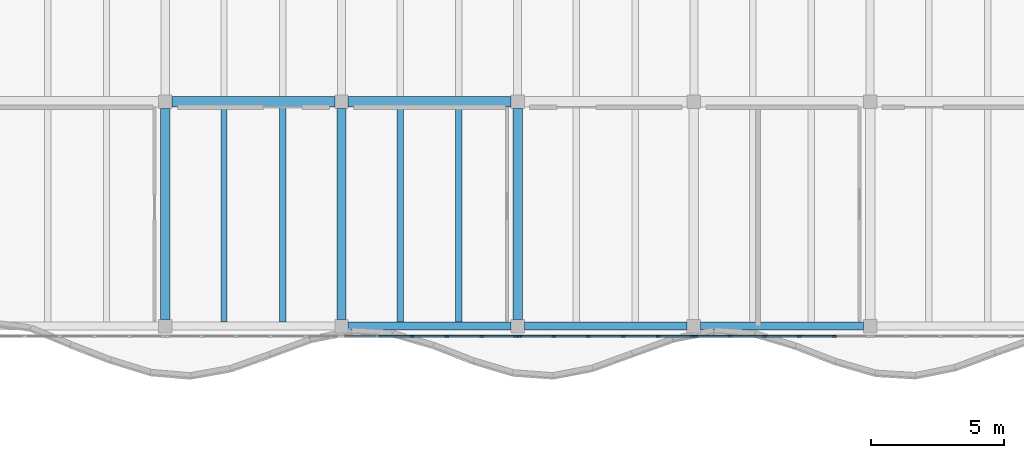
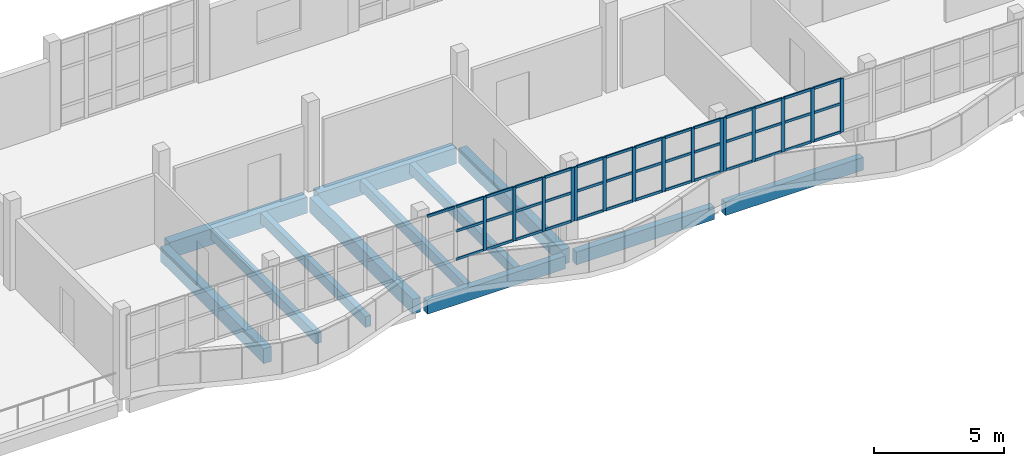
# One storey, part 9 of 47: 55 members, 12 beams, 3 elements without a shape of their own.
"""IFC4 building model written with IfcOpenShell, lengths in metres."""

from ifc_helpers import new_model, si_unit, direction, frame, origin, origin_2d, place, context, subcontext, project, spatial, rectangle, extrude, material, material_profile, profile_set, type_object, element, aggregate, save


model = new_model("IFC4")

# Units and contexts
model_context = context("Model", 3, precision=1e-05, world=origin(), true_north=direction((0.0, 1.0)))
body_context = subcontext(model_context, "Body", "Model", "MODEL_VIEW")
ifc_project = project(units=[si_unit("LENGTHUNIT", "METRE"), si_unit("AREAUNIT", "SQUARE_METRE"), si_unit("VOLUMEUNIT", "CUBIC_METRE"), si_unit("PLANEANGLEUNIT", "RADIAN"), si_unit("MASSUNIT", "GRAM", prefix="KILO")], contexts=[model_context])

# Site, building, storey
site_placement = place(None, origin())
site = spatial("IfcSite", under=ifc_project, at=site_placement, CompositionType="ELEMENT")
building_placement = place(site_placement, origin())
building = spatial("IfcBuilding", under=site, at=building_placement, Name="Qaldarim Faculty of Natural and Applied Sciences", CompositionType="ELEMENT")
storey_placement = place(building_placement, frame((0.0, 0.0, 22.800048828125)))
storey = spatial("IfcBuildingStorey", under=building, at=storey_placement, Name="L05", CompositionType="ELEMENT", Elevation=22.800048828125)

# Beams
ifc_material_1 = material(Name="Concrete C40/50", Category="concrete")
ifc_material_profile_1 = material_profile(ifc_material_1, rectangle(XDim=0.239990234375, YDim=0.5, at=origin_2d()), Name="RC-J240x500")
ifc_profile_set_1 = profile_set([ifc_material_profile_1], Name="Concrete C40/50")
beam_type_1 = type_object("IfcBeamType", Name="HeavyJoist-RC240x500", PredefinedType="JOIST", material=ifc_profile_set_1)
for number, where, z_axis, x_axis, name in (
    (1, (68.199951171875, 100.949951171875, -0.510009765625), (0.0, 1.0, 0.0), (-1.0, 0.0, 0.0), "Laboratory joist L04 bay X11Y13-1"),
    (2, (70.39990234375, 100.949951171875, -0.510009765625), (0.0, 1.0, 0.0), (-1.0, 0.0, 0.0), "Laboratory joist L04 bay X11Y13-2"),
    (3, (74.800048828125, 100.949951171875, -0.510009765625), (0.0, 1.0, 0.0), (-1.0, 0.0, 0.0), "Laboratory joist L04 bay X12Y13-1"),
    (4, (77.0, 100.949951171875, -0.510009765625), (0.0, 1.0, 0.0), (-1.0, 0.0, 0.0), "Laboratory joist L04 bay X12Y13-2"),
):
    element("IfcBeam", number, at=place(storey_placement, frame(where, z_axis=z_axis, x_axis=x_axis)), inside=storey, type_object=beam_type_1, Name=name, PredefinedType="JOIST", context=body_context, shape_type="SweptSolid", body=[
        extrude(rectangle(XDim=0.239990234375, YDim=0.5, at=origin_2d()), origin(), (0.0, 0.0, 1.0), 8.050048828125),
    ])
ifc_material_2 = material(Name="Concrete C50/60", Category="concrete")
ifc_material_profile_2 = material_profile(ifc_material_2, rectangle(XDim=0.39990234375, YDim=0.75, at=origin_2d()), Name="RC-B400x750")
ifc_profile_set_2 = profile_set([ifc_material_profile_2], Name="Concrete C50/60")
beam_type_2 = type_object("IfcBeamType", Name="LabGirder-RC400x750", PredefinedType="BEAM", material=ifc_profile_set_2)
beam_1_placement = place(storey_placement, frame((66.25, 109.199951171875, -0.635009765625), z_axis=(1.0, 0.0, 0.0), x_axis=(0.0, 1.0, 0.0)))
element("IfcBeam", 5, at=beam_1_placement, inside=storey, type_object=beam_type_2, Name="Beam RC-B400x750 L04 X11-X12/Y14", PredefinedType="BEAM", context=body_context, shape_type="SweptSolid", body=[
    extrude(rectangle(XDim=0.39990234375, YDim=0.75, at=origin_2d()), origin(), (0.0, 0.0, 1.0), 6.10009765625),
])
beam_2_placement = place(storey_placement, frame((72.85009765625, 109.199951171875, -0.635009765625), z_axis=(1.0, 0.0, 0.0), x_axis=(0.0, 1.0, 0.0)))
element("IfcBeam", 6, at=beam_2_placement, inside=storey, type_object=beam_type_2, Name="Beam RC-B400x750 L04 X12-X13/Y14", PredefinedType="BEAM", context=body_context, shape_type="SweptSolid", body=[
    extrude(rectangle(XDim=0.39990234375, YDim=0.75, at=origin_2d()), origin(), (0.0, 0.0, 1.0), 6.099853515625),
])

# Curtain wall, members
ifc_material_3 = material(Name="Anodised aluminium AW-6063", Category="aluminium")
curtain_wall_type = type_object("IfcCurtainWallType", Name="CurtainWallSystem-M1400", PredefinedType="USERDEFINED", material=ifc_material_3)
curtain_wall_1_placement = place(storey_placement, origin())
curtain_wall_1 = element("IfcCurtainWall", 7, at=curtain_wall_1_placement, inside=storey, type_object=curtain_wall_type, Name="Curtain wall CW-V4RIB-L05-X12", ObjectType="STICK CURTAIN WALL", PredefinedType="USERDEFINED")
ifc_material_profile_3 = material_profile(ifc_material_3, rectangle(XDim=0.06005859375, YDim=0.14990234375, at=origin_2d()), Name="ALU-M60x150")
ifc_profile_set_3 = profile_set([ifc_material_profile_3], Name="Anodised aluminium AW-6063")
member_type_1 = type_object("IfcMemberType", Name="Mullion-ALU60x150", PredefinedType="MULLION", material=ifc_profile_set_3)
member_1_placement = place(storey_placement, frame((75.248046875, 100.419921875, 1.449951171875), z_axis=(0.0, 0.0, 1.0), x_axis=(0.0, 1.0, 0.0)))
member_1 = element("IfcMember", 8, at=member_1_placement, type_object=member_type_1, Name="Mullion 3 of CW-V4RIB-L05-X12", PredefinedType="MULLION", context=body_context, shape_type="SweptSolid", body=[
    extrude(rectangle(XDim=0.06005859375, YDim=0.14990234375, at=origin_2d()), origin(), (0.0, 0.0, 1.0), 2.510009765625),
])
member_2_placement = place(storey_placement, frame((76.552001953125, 100.419921875, 1.449951171875), z_axis=(0.0, 0.0, 1.0), x_axis=(0.0, 1.0, 0.0)))
member_2 = element("IfcMember", 9, at=member_2_placement, type_object=member_type_1, Name="Mullion 4 of CW-V4RIB-L05-X12", PredefinedType="MULLION", context=body_context, shape_type="SweptSolid", body=[
    extrude(rectangle(XDim=0.06005859375, YDim=0.14990234375, at=origin_2d()), origin(), (0.0, 0.0, 1.0), 2.510009765625),
])
member_3_placement = place(storey_placement, frame((77.85595703125, 100.419921875, 1.449951171875), z_axis=(0.0, 0.0, 1.0), x_axis=(0.0, 1.0, 0.0)))
member_3 = element("IfcMember", 10, at=member_3_placement, type_object=member_type_1, Name="Mullion 5 of CW-V4RIB-L05-X12", PredefinedType="MULLION", context=body_context, shape_type="SweptSolid", body=[
    extrude(rectangle(XDim=0.06005859375, YDim=0.14990234375, at=origin_2d()), origin(), (0.0, 0.0, 1.0), 2.510009765625),
])
member_4_placement = place(storey_placement, frame((79.1298828125, 100.419921875, 1.449951171875), z_axis=(0.0, 0.0, 1.0), x_axis=(0.0, 1.0, 0.0)))
member_4 = element("IfcMember", 11, at=member_4_placement, type_object=member_type_1, Name="Mullion 6 of CW-V4RIB-L05-X12", PredefinedType="MULLION", context=body_context, shape_type="SweptSolid", body=[
    extrude(rectangle(XDim=0.06005859375, YDim=0.14990234375, at=origin_2d()), origin(), (0.0, 0.0, 1.0), 2.510009765625),
])

curtain_wall_2_placement = place(storey_placement, origin())
curtain_wall_2 = element("IfcCurtainWall", 12, at=curtain_wall_2_placement, inside=storey, type_object=curtain_wall_type, Name="Curtain wall CW-V4RIB-L05-X13", ObjectType="STICK CURTAIN WALL", PredefinedType="USERDEFINED")
member_5_placement = place(storey_placement, frame((79.27001953125, 100.419921875, 1.449951171875), z_axis=(0.0, 0.0, 1.0), x_axis=(0.0, 1.0, 0.0)))
member_5 = element("IfcMember", 13, at=member_5_placement, type_object=member_type_1, Name="Mullion 1 of CW-V4RIB-L05-X13", PredefinedType="MULLION", context=body_context, shape_type="SweptSolid", body=[
    extrude(rectangle(XDim=0.06005859375, YDim=0.14990234375, at=origin_2d()), origin(), (0.0, 0.0, 1.0), 2.510009765625),
])
member_6_placement = place(storey_placement, frame((80.5439453125, 100.419921875, 1.449951171875), z_axis=(0.0, 0.0, 1.0), x_axis=(0.0, 1.0, 0.0)))
member_6 = element("IfcMember", 14, at=member_6_placement, type_object=member_type_1, Name="Mullion 2 of CW-V4RIB-L05-X13", PredefinedType="MULLION", context=body_context, shape_type="SweptSolid", body=[
    extrude(rectangle(XDim=0.06005859375, YDim=0.14990234375, at=origin_2d()), origin(), (0.0, 0.0, 1.0), 2.510009765625),
])
member_7_placement = place(storey_placement, frame((81.847900390625, 100.419921875, 1.449951171875), z_axis=(0.0, 0.0, 1.0), x_axis=(0.0, 1.0, 0.0)))
member_7 = element("IfcMember", 15, at=member_7_placement, type_object=member_type_1, Name="Mullion 3 of CW-V4RIB-L05-X13", PredefinedType="MULLION", context=body_context, shape_type="SweptSolid", body=[
    extrude(rectangle(XDim=0.06005859375, YDim=0.14990234375, at=origin_2d()), origin(), (0.0, 0.0, 1.0), 2.510009765625),
])
member_8_placement = place(storey_placement, frame((83.152099609375, 100.419921875, 1.449951171875), z_axis=(0.0, 0.0, 1.0), x_axis=(0.0, 1.0, 0.0)))
member_8 = element("IfcMember", 16, at=member_8_placement, type_object=member_type_1, Name="Mullion 4 of CW-V4RIB-L05-X13", PredefinedType="MULLION", context=body_context, shape_type="SweptSolid", body=[
    extrude(rectangle(XDim=0.06005859375, YDim=0.14990234375, at=origin_2d()), origin(), (0.0, 0.0, 1.0), 2.510009765625),
])
member_9_placement = place(storey_placement, frame((84.4560546875, 100.419921875, 1.449951171875), z_axis=(0.0, 0.0, 1.0), x_axis=(0.0, 1.0, 0.0)))
member_9 = element("IfcMember", 17, at=member_9_placement, type_object=member_type_1, Name="Mullion 5 of CW-V4RIB-L05-X13", PredefinedType="MULLION", context=body_context, shape_type="SweptSolid", body=[
    extrude(rectangle(XDim=0.06005859375, YDim=0.14990234375, at=origin_2d()), origin(), (0.0, 0.0, 1.0), 2.510009765625),
])
member_10_placement = place(storey_placement, frame((85.72998046875, 100.419921875, 1.449951171875), z_axis=(0.0, 0.0, 1.0), x_axis=(0.0, 1.0, 0.0)))
member_10 = element("IfcMember", 18, at=member_10_placement, type_object=member_type_1, Name="Mullion 6 of CW-V4RIB-L05-X13", PredefinedType="MULLION", context=body_context, shape_type="SweptSolid", body=[
    extrude(rectangle(XDim=0.06005859375, YDim=0.14990234375, at=origin_2d()), origin(), (0.0, 0.0, 1.0), 2.510009765625),
])

curtain_wall_3_placement = place(storey_placement, origin())
curtain_wall_3 = element("IfcCurtainWall", 19, at=curtain_wall_3_placement, inside=storey, type_object=curtain_wall_type, Name="Curtain wall CW-V4RIB-L05-X14", ObjectType="STICK CURTAIN WALL", PredefinedType="USERDEFINED")
member_11_placement = place(storey_placement, frame((85.8701171875, 100.419921875, 1.449951171875), z_axis=(0.0, 0.0, 1.0), x_axis=(0.0, 1.0, 0.0)))
member_11 = element("IfcMember", 20, at=member_11_placement, type_object=member_type_1, Name="Mullion 1 of CW-V4RIB-L05-X14", PredefinedType="MULLION", context=body_context, shape_type="SweptSolid", body=[
    extrude(rectangle(XDim=0.06005859375, YDim=0.14990234375, at=origin_2d()), origin(), (0.0, 0.0, 1.0), 2.510009765625),
])
member_12_placement = place(storey_placement, frame((87.14404296875, 100.419921875, 1.449951171875), z_axis=(0.0, 0.0, 1.0), x_axis=(0.0, 1.0, 0.0)))
member_12 = element("IfcMember", 21, at=member_12_placement, type_object=member_type_1, Name="Mullion 2 of CW-V4RIB-L05-X14", PredefinedType="MULLION", context=body_context, shape_type="SweptSolid", body=[
    extrude(rectangle(XDim=0.06005859375, YDim=0.14990234375, at=origin_2d()), origin(), (0.0, 0.0, 1.0), 2.510009765625),
])
member_13_placement = place(storey_placement, frame((88.447998046875, 100.419921875, 1.449951171875), z_axis=(0.0, 0.0, 1.0), x_axis=(0.0, 1.0, 0.0)))
member_13 = element("IfcMember", 22, at=member_13_placement, type_object=member_type_1, Name="Mullion 3 of CW-V4RIB-L05-X14", PredefinedType="MULLION", context=body_context, shape_type="SweptSolid", body=[
    extrude(rectangle(XDim=0.06005859375, YDim=0.14990234375, at=origin_2d()), origin(), (0.0, 0.0, 1.0), 2.510009765625),
])
member_14_placement = place(storey_placement, frame((89.751953125, 100.419921875, 1.449951171875), z_axis=(0.0, 0.0, 1.0), x_axis=(0.0, 1.0, 0.0)))
member_14 = element("IfcMember", 23, at=member_14_placement, type_object=member_type_1, Name="Mullion 4 of CW-V4RIB-L05-X14", PredefinedType="MULLION", context=body_context, shape_type="SweptSolid", body=[
    extrude(rectangle(XDim=0.06005859375, YDim=0.14990234375, at=origin_2d()), origin(), (0.0, 0.0, 1.0), 2.510009765625),
])
member_15_placement = place(storey_placement, frame((91.055908203125, 100.419921875, 1.449951171875), z_axis=(0.0, 0.0, 1.0), x_axis=(0.0, 1.0, 0.0)))
member_15 = element("IfcMember", 24, at=member_15_placement, type_object=member_type_1, Name="Mullion 5 of CW-V4RIB-L05-X14", PredefinedType="MULLION", context=body_context, shape_type="SweptSolid", body=[
    extrude(rectangle(XDim=0.06005859375, YDim=0.14990234375, at=origin_2d()), origin(), (0.0, 0.0, 1.0), 2.510009765625),
])

# Beams
ifc_material_profile_4 = material_profile(ifc_material_1, rectangle(XDim=0.35009765625, YDim=0.699951171875, at=origin_2d()), Name="RC-B350x700")
ifc_profile_set_4 = profile_set([ifc_material_profile_4], Name="Concrete C40/50")
beam_type_3 = type_object("IfcBeamType", Name="PrimaryGirder-RC350x700", PredefinedType="BEAM", material=ifc_profile_set_4)
for number, where, z_axis, x_axis, name in (
    (25, (66.0, 101.050048828125, -0.610107421875), (0.0, 1.0, 0.0), (-1.0, 0.0, 0.0), "Beam RC-B350x700 L04 X11/Y13-Y14"),
    (26, (72.60009765625, 101.050048828125, -0.610107421875), (0.0, 1.0, 0.0), (-1.0, 0.0, 0.0), "Beam RC-B350x700 L04 X12/Y13-Y14"),
    (27, (79.199951171875, 101.050048828125, -0.610107421875), (0.0, 1.0, 0.0), (-1.0, 0.0, 0.0), "Beam RC-B350x700 L04 X13/Y13-Y14"),
):
    element("IfcBeam", number, at=place(storey_placement, frame(where, z_axis=z_axis, x_axis=x_axis)), inside=storey, type_object=beam_type_3, Name=name, PredefinedType="BEAM", context=body_context, shape_type="SweptSolid", body=[
        extrude(rectangle(XDim=0.35009765625, YDim=0.699951171875, at=origin_2d()), origin(), (0.0, 0.0, 1.0), 7.89990234375),
    ])
ifc_material_4 = material(Name="Precast concrete C40/50", Category="concrete")
ifc_material_profile_5 = material_profile(ifc_material_4, rectangle(XDim=0.300048828125, YDim=0.60009765625, at=origin_2d()), Name="RC-SP300x600")
ifc_profile_set_5 = profile_set([ifc_material_profile_5], Name="Precast concrete C40/50")
beam_type_4 = type_object("IfcBeamType", Name="SpandrelBeam-RC300x600", PredefinedType="SPANDREL", material=ifc_profile_set_5)
beam_3_placement = place(storey_placement, frame((72.85009765625, 100.800048828125, -0.56005859375), z_axis=(1.0, 0.0, 0.0), x_axis=(0.0, 1.0, 0.0)))
element("IfcBeam", 28, at=beam_3_placement, inside=storey, type_object=beam_type_4, Name="Beam RC-SP300x600 L04 X12-X13/Y13", PredefinedType="SPANDREL", context=body_context, shape_type="SweptSolid", body=[
    extrude(rectangle(XDim=0.300048828125, YDim=0.60009765625, at=origin_2d()), origin(), (0.0, 0.0, 1.0), 6.099853515625),
])
beam_4_placement = place(storey_placement, frame((79.449951171875, 100.800048828125, -0.56005859375), z_axis=(1.0, 0.0, 0.0), x_axis=(0.0, 1.0, 0.0)))
element("IfcBeam", 29, at=beam_4_placement, inside=storey, type_object=beam_type_4, Name="Beam RC-SP300x600 L04 X13-X14/Y13", PredefinedType="SPANDREL", context=body_context, shape_type="SweptSolid", body=[
    extrude(rectangle(XDim=0.300048828125, YDim=0.60009765625, at=origin_2d()), origin(), (0.0, 0.0, 1.0), 6.10009765625),
])
beam_5_placement = place(storey_placement, frame((86.050048828125, 100.800048828125, -0.56005859375), z_axis=(1.0, 0.0, 0.0), x_axis=(0.0, 1.0, 0.0)))
element("IfcBeam", 30, at=beam_5_placement, inside=storey, type_object=beam_type_4, Name="Beam RC-SP300x600 L04 X14-X15/Y13", PredefinedType="SPANDREL", context=body_context, shape_type="SweptSolid", body=[
    extrude(rectangle(XDim=0.300048828125, YDim=0.60009765625, at=origin_2d()), origin(), (0.0, 0.0, 1.0), 6.099853515625),
])

# Member
ifc_material_profile_6 = material_profile(ifc_material_3, rectangle(XDim=0.06005859375, YDim=0.1201171875, at=origin_2d()), Name="ALU-T60x120")
ifc_profile_set_6 = profile_set([ifc_material_profile_6], Name="Anodised aluminium AW-6063")
member_type_2 = type_object("IfcMemberType", Name="Transom-ALU60x120", PredefinedType="USERDEFINED", material=ifc_profile_set_6)
member_16_placement = place(storey_placement, frame((72.699951171875, 100.419921875, 3.929931640625), z_axis=(1.0, 0.0, 0.0), x_axis=(0.0, 1.0, 0.0)))
member_16 = element("IfcMember", 31, at=member_16_placement, type_object=member_type_2, Name="Transom 1-3 of CW-V4RIB-L05-X12", ObjectType="TRANSOM", PredefinedType="USERDEFINED", context=body_context, shape_type="SweptSolid", body=[
    extrude(rectangle(XDim=0.06005859375, YDim=0.1201171875, at=origin_2d()), origin(), (0.0, 0.0, 1.0), 1.214111328125),
])

member_17_placement = place(storey_placement, frame((73.97412109375, 100.419921875, 1.47998046875), z_axis=(1.0, 0.0, 0.0), x_axis=(0.0, 1.0, 0.0)))
member_17 = element("IfcMember", 32, at=member_17_placement, type_object=member_type_2, Name="Transom 2-1 of CW-V4RIB-L05-X12", ObjectType="TRANSOM", PredefinedType="USERDEFINED", context=body_context, shape_type="SweptSolid", body=[
    extrude(rectangle(XDim=0.06005859375, YDim=0.1201171875, at=origin_2d()), origin(), (0.0, 0.0, 1.0), 1.243896484375),
])

member_18_placement = place(storey_placement, frame((73.97412109375, 100.419921875, 2.800048828125), z_axis=(1.0, 0.0, 0.0), x_axis=(0.0, 1.0, 0.0)))
member_18 = element("IfcMember", 33, at=member_18_placement, type_object=member_type_2, Name="Transom 2-2 of CW-V4RIB-L05-X12", ObjectType="TRANSOM", PredefinedType="USERDEFINED", context=body_context, shape_type="SweptSolid", body=[
    extrude(rectangle(XDim=0.06005859375, YDim=0.1201171875, at=origin_2d()), origin(), (0.0, 0.0, 1.0), 1.243896484375),
])

member_19_placement = place(storey_placement, frame((73.97412109375, 100.419921875, 3.929931640625), z_axis=(1.0, 0.0, 0.0), x_axis=(0.0, 1.0, 0.0)))
member_19 = element("IfcMember", 34, at=member_19_placement, type_object=member_type_2, Name="Transom 2-3 of CW-V4RIB-L05-X12", ObjectType="TRANSOM", PredefinedType="USERDEFINED", context=body_context, shape_type="SweptSolid", body=[
    extrude(rectangle(XDim=0.06005859375, YDim=0.1201171875, at=origin_2d()), origin(), (0.0, 0.0, 1.0), 1.243896484375),
])

member_20_placement = place(storey_placement, frame((75.278076171875, 100.419921875, 1.47998046875), z_axis=(1.0, 0.0, 0.0), x_axis=(0.0, 1.0, 0.0)))
member_20 = element("IfcMember", 35, at=member_20_placement, type_object=member_type_2, Name="Transom 3-1 of CW-V4RIB-L05-X12", ObjectType="TRANSOM", PredefinedType="USERDEFINED", context=body_context, shape_type="SweptSolid", body=[
    extrude(rectangle(XDim=0.06005859375, YDim=0.1201171875, at=origin_2d()), origin(), (0.0, 0.0, 1.0), 1.243896484375),
])

member_21_placement = place(storey_placement, frame((75.278076171875, 100.419921875, 2.800048828125), z_axis=(1.0, 0.0, 0.0), x_axis=(0.0, 1.0, 0.0)))
member_21 = element("IfcMember", 36, at=member_21_placement, type_object=member_type_2, Name="Transom 3-2 of CW-V4RIB-L05-X12", ObjectType="TRANSOM", PredefinedType="USERDEFINED", context=body_context, shape_type="SweptSolid", body=[
    extrude(rectangle(XDim=0.06005859375, YDim=0.1201171875, at=origin_2d()), origin(), (0.0, 0.0, 1.0), 1.243896484375),
])

member_22_placement = place(storey_placement, frame((75.278076171875, 100.419921875, 3.929931640625), z_axis=(1.0, 0.0, 0.0), x_axis=(0.0, 1.0, 0.0)))
member_22 = element("IfcMember", 37, at=member_22_placement, type_object=member_type_2, Name="Transom 3-3 of CW-V4RIB-L05-X12", ObjectType="TRANSOM", PredefinedType="USERDEFINED", context=body_context, shape_type="SweptSolid", body=[
    extrude(rectangle(XDim=0.06005859375, YDim=0.1201171875, at=origin_2d()), origin(), (0.0, 0.0, 1.0), 1.243896484375),
])

member_23_placement = place(storey_placement, frame((76.58203125, 100.419921875, 1.47998046875), z_axis=(1.0, 0.0, 0.0), x_axis=(0.0, 1.0, 0.0)))
member_23 = element("IfcMember", 38, at=member_23_placement, type_object=member_type_2, Name="Transom 4-1 of CW-V4RIB-L05-X12", ObjectType="TRANSOM", PredefinedType="USERDEFINED", context=body_context, shape_type="SweptSolid", body=[
    extrude(rectangle(XDim=0.06005859375, YDim=0.1201171875, at=origin_2d()), origin(), (0.0, 0.0, 1.0), 1.243896484375),
])

member_24_placement = place(storey_placement, frame((76.58203125, 100.419921875, 2.800048828125), z_axis=(1.0, 0.0, 0.0), x_axis=(0.0, 1.0, 0.0)))
member_24 = element("IfcMember", 39, at=member_24_placement, type_object=member_type_2, Name="Transom 4-2 of CW-V4RIB-L05-X12", ObjectType="TRANSOM", PredefinedType="USERDEFINED", context=body_context, shape_type="SweptSolid", body=[
    extrude(rectangle(XDim=0.06005859375, YDim=0.1201171875, at=origin_2d()), origin(), (0.0, 0.0, 1.0), 1.243896484375),
])

member_25_placement = place(storey_placement, frame((76.58203125, 100.419921875, 3.929931640625), z_axis=(1.0, 0.0, 0.0), x_axis=(0.0, 1.0, 0.0)))
member_25 = element("IfcMember", 40, at=member_25_placement, type_object=member_type_2, Name="Transom 4-3 of CW-V4RIB-L05-X12", ObjectType="TRANSOM", PredefinedType="USERDEFINED", context=body_context, shape_type="SweptSolid", body=[
    extrude(rectangle(XDim=0.06005859375, YDim=0.1201171875, at=origin_2d()), origin(), (0.0, 0.0, 1.0), 1.243896484375),
])

member_26_placement = place(storey_placement, frame((77.885986328125, 100.419921875, 1.47998046875), z_axis=(1.0, 0.0, 0.0), x_axis=(0.0, 1.0, 0.0)))
member_26 = element("IfcMember", 41, at=member_26_placement, type_object=member_type_2, Name="Transom 5-1 of CW-V4RIB-L05-X12", ObjectType="TRANSOM", PredefinedType="USERDEFINED", context=body_context, shape_type="SweptSolid", body=[
    extrude(rectangle(XDim=0.06005859375, YDim=0.1201171875, at=origin_2d()), origin(), (0.0, 0.0, 1.0), 1.214111328125),
])

member_27_placement = place(storey_placement, frame((77.885986328125, 100.419921875, 2.800048828125), z_axis=(1.0, 0.0, 0.0), x_axis=(0.0, 1.0, 0.0)))
member_27 = element("IfcMember", 42, at=member_27_placement, type_object=member_type_2, Name="Transom 5-2 of CW-V4RIB-L05-X12", ObjectType="TRANSOM", PredefinedType="USERDEFINED", context=body_context, shape_type="SweptSolid", body=[
    extrude(rectangle(XDim=0.06005859375, YDim=0.1201171875, at=origin_2d()), origin(), (0.0, 0.0, 1.0), 1.214111328125),
])

member_28_placement = place(storey_placement, frame((77.885986328125, 100.419921875, 3.929931640625), z_axis=(1.0, 0.0, 0.0), x_axis=(0.0, 1.0, 0.0)))
member_28 = element("IfcMember", 43, at=member_28_placement, type_object=member_type_2, Name="Transom 5-3 of CW-V4RIB-L05-X12", ObjectType="TRANSOM", PredefinedType="USERDEFINED", context=body_context, shape_type="SweptSolid", body=[
    extrude(rectangle(XDim=0.06005859375, YDim=0.1201171875, at=origin_2d()), origin(), (0.0, 0.0, 1.0), 1.214111328125),
])

aggregate(curtain_wall_1, [member_1, member_2, member_3, member_4, member_16, member_17, member_18, member_19, member_20, member_21, member_22, member_23, member_24, member_25, member_26, member_27, member_28])

member_29_placement = place(storey_placement, frame((79.300048828125, 100.419921875, 1.47998046875), z_axis=(1.0, 0.0, 0.0), x_axis=(0.0, 1.0, 0.0)))
member_29 = element("IfcMember", 44, at=member_29_placement, type_object=member_type_2, Name="Transom 1-1 of CW-V4RIB-L05-X13", ObjectType="TRANSOM", PredefinedType="USERDEFINED", context=body_context, shape_type="SweptSolid", body=[
    extrude(rectangle(XDim=0.06005859375, YDim=0.1201171875, at=origin_2d()), origin(), (0.0, 0.0, 1.0), 1.2138671875),
])

member_30_placement = place(storey_placement, frame((79.300048828125, 100.419921875, 2.800048828125), z_axis=(1.0, 0.0, 0.0), x_axis=(0.0, 1.0, 0.0)))
member_30 = element("IfcMember", 45, at=member_30_placement, type_object=member_type_2, Name="Transom 1-2 of CW-V4RIB-L05-X13", ObjectType="TRANSOM", PredefinedType="USERDEFINED", context=body_context, shape_type="SweptSolid", body=[
    extrude(rectangle(XDim=0.06005859375, YDim=0.1201171875, at=origin_2d()), origin(), (0.0, 0.0, 1.0), 1.2138671875),
])

member_31_placement = place(storey_placement, frame((79.300048828125, 100.419921875, 3.929931640625), z_axis=(1.0, 0.0, 0.0), x_axis=(0.0, 1.0, 0.0)))
member_31 = element("IfcMember", 46, at=member_31_placement, type_object=member_type_2, Name="Transom 1-3 of CW-V4RIB-L05-X13", ObjectType="TRANSOM", PredefinedType="USERDEFINED", context=body_context, shape_type="SweptSolid", body=[
    extrude(rectangle(XDim=0.06005859375, YDim=0.1201171875, at=origin_2d()), origin(), (0.0, 0.0, 1.0), 1.2138671875),
])

member_32_placement = place(storey_placement, frame((80.573974609375, 100.419921875, 1.47998046875), z_axis=(1.0, 0.0, 0.0), x_axis=(0.0, 1.0, 0.0)))
member_32 = element("IfcMember", 47, at=member_32_placement, type_object=member_type_2, Name="Transom 2-1 of CW-V4RIB-L05-X13", ObjectType="TRANSOM", PredefinedType="USERDEFINED", context=body_context, shape_type="SweptSolid", body=[
    extrude(rectangle(XDim=0.06005859375, YDim=0.1201171875, at=origin_2d()), origin(), (0.0, 0.0, 1.0), 1.244140625),
])

member_33_placement = place(storey_placement, frame((80.573974609375, 100.419921875, 2.800048828125), z_axis=(1.0, 0.0, 0.0), x_axis=(0.0, 1.0, 0.0)))
member_33 = element("IfcMember", 48, at=member_33_placement, type_object=member_type_2, Name="Transom 2-2 of CW-V4RIB-L05-X13", ObjectType="TRANSOM", PredefinedType="USERDEFINED", context=body_context, shape_type="SweptSolid", body=[
    extrude(rectangle(XDim=0.06005859375, YDim=0.1201171875, at=origin_2d()), origin(), (0.0, 0.0, 1.0), 1.244140625),
])

member_34_placement = place(storey_placement, frame((80.573974609375, 100.419921875, 3.929931640625), z_axis=(1.0, 0.0, 0.0), x_axis=(0.0, 1.0, 0.0)))
member_34 = element("IfcMember", 49, at=member_34_placement, type_object=member_type_2, Name="Transom 2-3 of CW-V4RIB-L05-X13", ObjectType="TRANSOM", PredefinedType="USERDEFINED", context=body_context, shape_type="SweptSolid", body=[
    extrude(rectangle(XDim=0.06005859375, YDim=0.1201171875, at=origin_2d()), origin(), (0.0, 0.0, 1.0), 1.244140625),
])

member_35_placement = place(storey_placement, frame((81.8779296875, 100.419921875, 1.47998046875), z_axis=(1.0, 0.0, 0.0), x_axis=(0.0, 1.0, 0.0)))
member_35 = element("IfcMember", 50, at=member_35_placement, type_object=member_type_2, Name="Transom 3-1 of CW-V4RIB-L05-X13", ObjectType="TRANSOM", PredefinedType="USERDEFINED", context=body_context, shape_type="SweptSolid", body=[
    extrude(rectangle(XDim=0.06005859375, YDim=0.1201171875, at=origin_2d()), origin(), (0.0, 0.0, 1.0), 1.244140625),
])

member_36_placement = place(storey_placement, frame((81.8779296875, 100.419921875, 2.800048828125), z_axis=(1.0, 0.0, 0.0), x_axis=(0.0, 1.0, 0.0)))
member_36 = element("IfcMember", 51, at=member_36_placement, type_object=member_type_2, Name="Transom 3-2 of CW-V4RIB-L05-X13", ObjectType="TRANSOM", PredefinedType="USERDEFINED", context=body_context, shape_type="SweptSolid", body=[
    extrude(rectangle(XDim=0.06005859375, YDim=0.1201171875, at=origin_2d()), origin(), (0.0, 0.0, 1.0), 1.244140625),
])

member_37_placement = place(storey_placement, frame((81.8779296875, 100.419921875, 3.929931640625), z_axis=(1.0, 0.0, 0.0), x_axis=(0.0, 1.0, 0.0)))
member_37 = element("IfcMember", 52, at=member_37_placement, type_object=member_type_2, Name="Transom 3-3 of CW-V4RIB-L05-X13", ObjectType="TRANSOM", PredefinedType="USERDEFINED", context=body_context, shape_type="SweptSolid", body=[
    extrude(rectangle(XDim=0.06005859375, YDim=0.1201171875, at=origin_2d()), origin(), (0.0, 0.0, 1.0), 1.244140625),
])

member_38_placement = place(storey_placement, frame((83.181884765625, 100.419921875, 1.47998046875), z_axis=(1.0, 0.0, 0.0), x_axis=(0.0, 1.0, 0.0)))
member_38 = element("IfcMember", 53, at=member_38_placement, type_object=member_type_2, Name="Transom 4-1 of CW-V4RIB-L05-X13", ObjectType="TRANSOM", PredefinedType="USERDEFINED", context=body_context, shape_type="SweptSolid", body=[
    extrude(rectangle(XDim=0.06005859375, YDim=0.1201171875, at=origin_2d()), origin(), (0.0, 0.0, 1.0), 1.244140625),
])

member_39_placement = place(storey_placement, frame((83.181884765625, 100.419921875, 2.800048828125), z_axis=(1.0, 0.0, 0.0), x_axis=(0.0, 1.0, 0.0)))
member_39 = element("IfcMember", 54, at=member_39_placement, type_object=member_type_2, Name="Transom 4-2 of CW-V4RIB-L05-X13", ObjectType="TRANSOM", PredefinedType="USERDEFINED", context=body_context, shape_type="SweptSolid", body=[
    extrude(rectangle(XDim=0.06005859375, YDim=0.1201171875, at=origin_2d()), origin(), (0.0, 0.0, 1.0), 1.244140625),
])

member_40_placement = place(storey_placement, frame((83.181884765625, 100.419921875, 3.929931640625), z_axis=(1.0, 0.0, 0.0), x_axis=(0.0, 1.0, 0.0)))
member_40 = element("IfcMember", 55, at=member_40_placement, type_object=member_type_2, Name="Transom 4-3 of CW-V4RIB-L05-X13", ObjectType="TRANSOM", PredefinedType="USERDEFINED", context=body_context, shape_type="SweptSolid", body=[
    extrude(rectangle(XDim=0.06005859375, YDim=0.1201171875, at=origin_2d()), origin(), (0.0, 0.0, 1.0), 1.244140625),
])

member_41_placement = place(storey_placement, frame((84.486083984375, 100.419921875, 1.47998046875), z_axis=(1.0, 0.0, 0.0), x_axis=(0.0, 1.0, 0.0)))
member_41 = element("IfcMember", 56, at=member_41_placement, type_object=member_type_2, Name="Transom 5-1 of CW-V4RIB-L05-X13", ObjectType="TRANSOM", PredefinedType="USERDEFINED", context=body_context, shape_type="SweptSolid", body=[
    extrude(rectangle(XDim=0.06005859375, YDim=0.1201171875, at=origin_2d()), origin(), (0.0, 0.0, 1.0), 1.2138671875),
])

member_42_placement = place(storey_placement, frame((84.486083984375, 100.419921875, 2.800048828125), z_axis=(1.0, 0.0, 0.0), x_axis=(0.0, 1.0, 0.0)))
member_42 = element("IfcMember", 57, at=member_42_placement, type_object=member_type_2, Name="Transom 5-2 of CW-V4RIB-L05-X13", ObjectType="TRANSOM", PredefinedType="USERDEFINED", context=body_context, shape_type="SweptSolid", body=[
    extrude(rectangle(XDim=0.06005859375, YDim=0.1201171875, at=origin_2d()), origin(), (0.0, 0.0, 1.0), 1.2138671875),
])

member_43_placement = place(storey_placement, frame((84.486083984375, 100.419921875, 3.929931640625), z_axis=(1.0, 0.0, 0.0), x_axis=(0.0, 1.0, 0.0)))
member_43 = element("IfcMember", 58, at=member_43_placement, type_object=member_type_2, Name="Transom 5-3 of CW-V4RIB-L05-X13", ObjectType="TRANSOM", PredefinedType="USERDEFINED", context=body_context, shape_type="SweptSolid", body=[
    extrude(rectangle(XDim=0.06005859375, YDim=0.1201171875, at=origin_2d()), origin(), (0.0, 0.0, 1.0), 1.2138671875),
])

aggregate(curtain_wall_2, [member_5, member_6, member_7, member_8, member_9, member_10, member_29, member_30, member_31, member_32, member_33, member_34, member_35, member_36, member_37, member_38, member_39, member_40, member_41, member_42, member_43])

member_44_placement = place(storey_placement, frame((85.89990234375, 100.419921875, 1.47998046875), z_axis=(1.0, 0.0, 0.0), x_axis=(0.0, 1.0, 0.0)))
member_44 = element("IfcMember", 59, at=member_44_placement, type_object=member_type_2, Name="Transom 1-1 of CW-V4RIB-L05-X14", ObjectType="TRANSOM", PredefinedType="USERDEFINED", context=body_context, shape_type="SweptSolid", body=[
    extrude(rectangle(XDim=0.06005859375, YDim=0.1201171875, at=origin_2d()), origin(), (0.0, 0.0, 1.0), 1.214111328125),
])

member_45_placement = place(storey_placement, frame((85.89990234375, 100.419921875, 2.800048828125), z_axis=(1.0, 0.0, 0.0), x_axis=(0.0, 1.0, 0.0)))
member_45 = element("IfcMember", 60, at=member_45_placement, type_object=member_type_2, Name="Transom 1-2 of CW-V4RIB-L05-X14", ObjectType="TRANSOM", PredefinedType="USERDEFINED", context=body_context, shape_type="SweptSolid", body=[
    extrude(rectangle(XDim=0.06005859375, YDim=0.1201171875, at=origin_2d()), origin(), (0.0, 0.0, 1.0), 1.214111328125),
])

member_46_placement = place(storey_placement, frame((85.89990234375, 100.419921875, 3.929931640625), z_axis=(1.0, 0.0, 0.0), x_axis=(0.0, 1.0, 0.0)))
member_46 = element("IfcMember", 61, at=member_46_placement, type_object=member_type_2, Name="Transom 1-3 of CW-V4RIB-L05-X14", ObjectType="TRANSOM", PredefinedType="USERDEFINED", context=body_context, shape_type="SweptSolid", body=[
    extrude(rectangle(XDim=0.06005859375, YDim=0.1201171875, at=origin_2d()), origin(), (0.0, 0.0, 1.0), 1.214111328125),
])

member_47_placement = place(storey_placement, frame((87.174072265625, 100.419921875, 1.47998046875), z_axis=(1.0, 0.0, 0.0), x_axis=(0.0, 1.0, 0.0)))
member_47 = element("IfcMember", 62, at=member_47_placement, type_object=member_type_2, Name="Transom 2-1 of CW-V4RIB-L05-X14", ObjectType="TRANSOM", PredefinedType="USERDEFINED", context=body_context, shape_type="SweptSolid", body=[
    extrude(rectangle(XDim=0.06005859375, YDim=0.1201171875, at=origin_2d()), origin(), (0.0, 0.0, 1.0), 1.243896484375),
])

member_48_placement = place(storey_placement, frame((87.174072265625, 100.419921875, 2.800048828125), z_axis=(1.0, 0.0, 0.0), x_axis=(0.0, 1.0, 0.0)))
member_48 = element("IfcMember", 63, at=member_48_placement, type_object=member_type_2, Name="Transom 2-2 of CW-V4RIB-L05-X14", ObjectType="TRANSOM", PredefinedType="USERDEFINED", context=body_context, shape_type="SweptSolid", body=[
    extrude(rectangle(XDim=0.06005859375, YDim=0.1201171875, at=origin_2d()), origin(), (0.0, 0.0, 1.0), 1.243896484375),
])

member_49_placement = place(storey_placement, frame((87.174072265625, 100.419921875, 3.929931640625), z_axis=(1.0, 0.0, 0.0), x_axis=(0.0, 1.0, 0.0)))
member_49 = element("IfcMember", 64, at=member_49_placement, type_object=member_type_2, Name="Transom 2-3 of CW-V4RIB-L05-X14", ObjectType="TRANSOM", PredefinedType="USERDEFINED", context=body_context, shape_type="SweptSolid", body=[
    extrude(rectangle(XDim=0.06005859375, YDim=0.1201171875, at=origin_2d()), origin(), (0.0, 0.0, 1.0), 1.243896484375),
])

member_50_placement = place(storey_placement, frame((88.47802734375, 100.419921875, 1.47998046875), z_axis=(1.0, 0.0, 0.0), x_axis=(0.0, 1.0, 0.0)))
member_50 = element("IfcMember", 65, at=member_50_placement, type_object=member_type_2, Name="Transom 3-1 of CW-V4RIB-L05-X14", ObjectType="TRANSOM", PredefinedType="USERDEFINED", context=body_context, shape_type="SweptSolid", body=[
    extrude(rectangle(XDim=0.06005859375, YDim=0.1201171875, at=origin_2d()), origin(), (0.0, 0.0, 1.0), 1.243896484375),
])

member_51_placement = place(storey_placement, frame((88.47802734375, 100.419921875, 2.800048828125), z_axis=(1.0, 0.0, 0.0), x_axis=(0.0, 1.0, 0.0)))
member_51 = element("IfcMember", 66, at=member_51_placement, type_object=member_type_2, Name="Transom 3-2 of CW-V4RIB-L05-X14", ObjectType="TRANSOM", PredefinedType="USERDEFINED", context=body_context, shape_type="SweptSolid", body=[
    extrude(rectangle(XDim=0.06005859375, YDim=0.1201171875, at=origin_2d()), origin(), (0.0, 0.0, 1.0), 1.243896484375),
])

member_52_placement = place(storey_placement, frame((88.47802734375, 100.419921875, 3.929931640625), z_axis=(1.0, 0.0, 0.0), x_axis=(0.0, 1.0, 0.0)))
member_52 = element("IfcMember", 67, at=member_52_placement, type_object=member_type_2, Name="Transom 3-3 of CW-V4RIB-L05-X14", ObjectType="TRANSOM", PredefinedType="USERDEFINED", context=body_context, shape_type="SweptSolid", body=[
    extrude(rectangle(XDim=0.06005859375, YDim=0.1201171875, at=origin_2d()), origin(), (0.0, 0.0, 1.0), 1.243896484375),
])

member_53_placement = place(storey_placement, frame((89.781982421875, 100.419921875, 1.47998046875), z_axis=(1.0, 0.0, 0.0), x_axis=(0.0, 1.0, 0.0)))
member_53 = element("IfcMember", 68, at=member_53_placement, type_object=member_type_2, Name="Transom 4-1 of CW-V4RIB-L05-X14", ObjectType="TRANSOM", PredefinedType="USERDEFINED", context=body_context, shape_type="SweptSolid", body=[
    extrude(rectangle(XDim=0.06005859375, YDim=0.1201171875, at=origin_2d()), origin(), (0.0, 0.0, 1.0), 1.243896484375),
])

member_54_placement = place(storey_placement, frame((89.781982421875, 100.419921875, 2.800048828125), z_axis=(1.0, 0.0, 0.0), x_axis=(0.0, 1.0, 0.0)))
member_54 = element("IfcMember", 69, at=member_54_placement, type_object=member_type_2, Name="Transom 4-2 of CW-V4RIB-L05-X14", ObjectType="TRANSOM", PredefinedType="USERDEFINED", context=body_context, shape_type="SweptSolid", body=[
    extrude(rectangle(XDim=0.06005859375, YDim=0.1201171875, at=origin_2d()), origin(), (0.0, 0.0, 1.0), 1.243896484375),
])

member_55_placement = place(storey_placement, frame((89.781982421875, 100.419921875, 3.929931640625), z_axis=(1.0, 0.0, 0.0), x_axis=(0.0, 1.0, 0.0)))
member_55 = element("IfcMember", 70, at=member_55_placement, type_object=member_type_2, Name="Transom 4-3 of CW-V4RIB-L05-X14", ObjectType="TRANSOM", PredefinedType="USERDEFINED", context=body_context, shape_type="SweptSolid", body=[
    extrude(rectangle(XDim=0.06005859375, YDim=0.1201171875, at=origin_2d()), origin(), (0.0, 0.0, 1.0), 1.243896484375),
])

aggregate(curtain_wall_3, [member_11, member_12, member_13, member_14, member_15, member_44, member_45, member_46, member_47, member_48, member_49, member_50, member_51, member_52, member_53, member_54, member_55])

save(model, "model.ifc")
